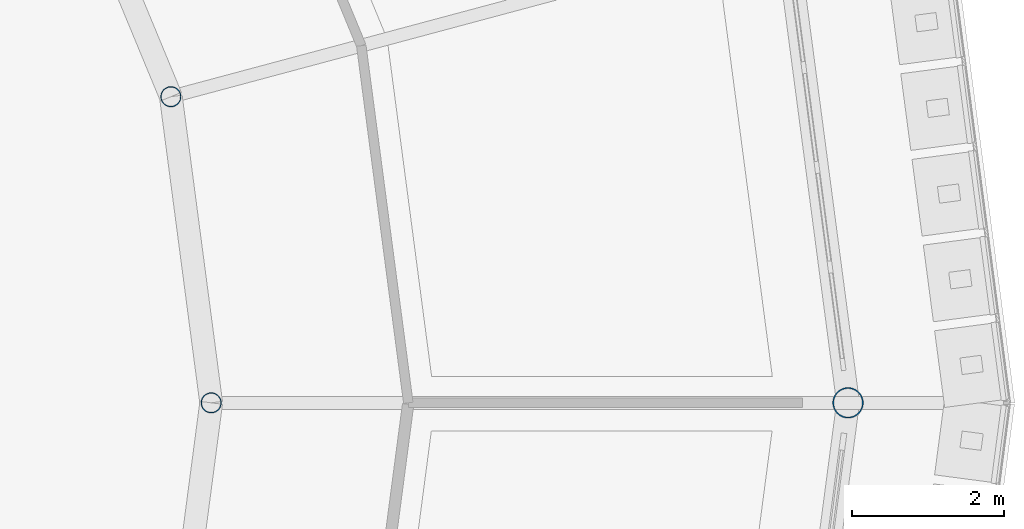
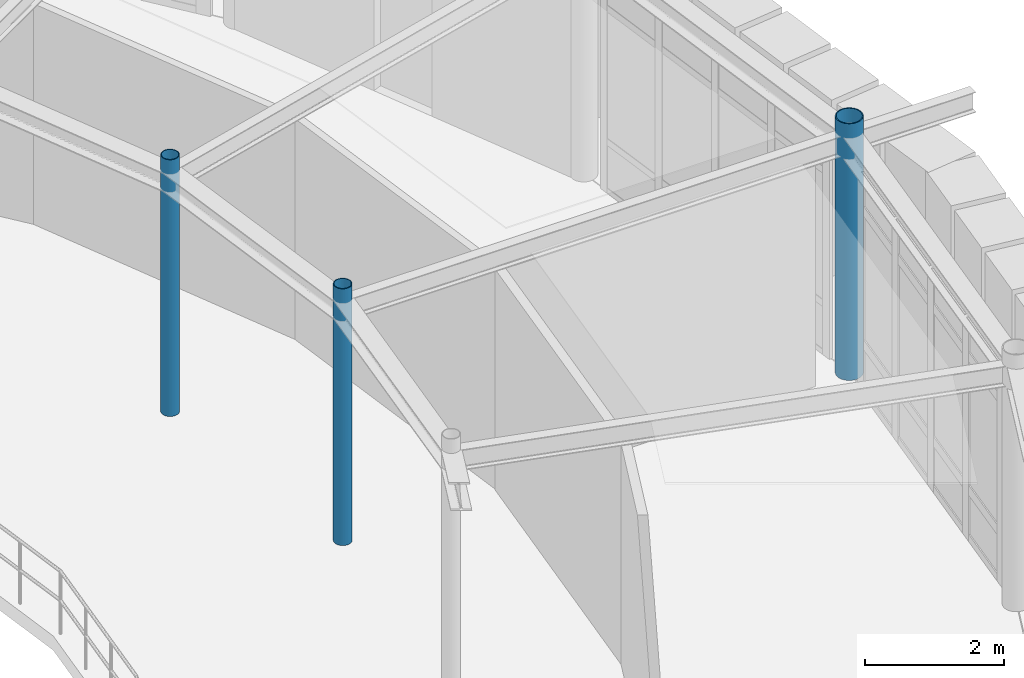
# One storey, part 13 of 106: 3 columns.
"""IFC4 building model written with IfcOpenShell, lengths in metres."""

from ifc_helpers import new_model, si_unit, derived_unit, direction, frame, origin, origin_2d, place, context, subcontext, project, spatial, hollow_circle, extrude, material, material_profile, profile_set, type_object, element, save


model = new_model("IFC4")

# Units and contexts
model_context = context("Model", 3, precision=1e-05, world=origin(), true_north=direction((0.0, 1.0)))
body_context = subcontext(model_context, "Body", "Model", "MODEL_VIEW")
ifc_project = project(units=[si_unit("LENGTHUNIT", "METRE"), si_unit("AREAUNIT", "SQUARE_METRE"), si_unit("VOLUMEUNIT", "CUBIC_METRE"), si_unit("PLANEANGLEUNIT", "RADIAN"), si_unit("MASSUNIT", "GRAM", prefix="KILO"), derived_unit("THERMALTRANSMITTANCEUNIT", [(si_unit("POWERUNIT", "WATT"), 1), (si_unit("AREAUNIT", "SQUARE_METRE"), -1), (si_unit("THERMODYNAMICTEMPERATUREUNIT", "KELVIN"), -1)])], contexts=[model_context])

# Site, building, storey
site_placement = place(None, origin())
site = spatial("IfcSite", under=ifc_project, at=site_placement, CompositionType="ELEMENT")
building_placement = place(site_placement, origin())
building = spatial("IfcBuilding", under=site, at=building_placement, Name="Yasenodar Specialist Clinic", CompositionType="ELEMENT")
storey_placement = place(building_placement, frame((0.0, 0.0, 4.5)))
storey = spatial("IfcBuildingStorey", under=building, at=storey_placement, Name="L01", CompositionType="ELEMENT", Elevation=4.5)

# Columns
ifc_material = material(Name="Steel S355", Category="steel")
ifc_material_profile_1 = material_profile(ifc_material, hollow_circle(Radius=0.136474609375, WallThickness=0.012451171875, at=origin_2d()), Name="CHS 273x12.5")
ifc_profile_set_1 = profile_set([ifc_material_profile_1], Name="Steel S355")
column_type_1 = type_object("IfcColumnType", Name="COL-ST-CHS273", PredefinedType="COLUMN", material=ifc_profile_set_1)
for number, where, z_axis, x_axis, name in (
    (1, (96.60009765625, 58.800048828125, 0.0), (0.0, 0.0, 1.0), (1.0, 0.0, 0.0), "L01 Drum V1 Inner Column 01"),
    (2, (96.068359375, 62.837646484375, 0.0), (0.0, 0.0, 1.0), (1.0, 0.0, 0.0), "L01 Drum V1 Inner Column 02"),
):
    element("IfcColumn", number, at=place(storey_placement, frame(where, z_axis=z_axis, x_axis=x_axis)), inside=storey, type_object=column_type_1, Name=name, PredefinedType="COLUMN", context=body_context, shape_type="SweptSolid", body=[
        extrude(hollow_circle(Radius=0.136474609375, WallThickness=0.012451171875, at=origin_2d()), origin(), (0.0, 0.0, 1.0), 4.5),
    ])
ifc_material_profile_2 = material_profile(ifc_material, hollow_circle(Radius=0.203125, WallThickness=0.01611328125, at=origin_2d()), Name="CHS 406.4x16")
ifc_profile_set_2 = profile_set([ifc_material_profile_2], Name="Steel S355")
column_type_2 = type_object("IfcColumnType", Name="COL-ST-CHS406", PredefinedType="COLUMN", material=ifc_profile_set_2)
column_placement = place(storey_placement, frame((105.0, 58.800048828125, 0.0), z_axis=(0.0, 0.0, 1.0), x_axis=(1.0, 0.0, 0.0)))
element("IfcColumn", 3, at=column_placement, inside=storey, type_object=column_type_2, Name="L01 Drum V1 Outer Column 01", PredefinedType="COLUMN", context=body_context, shape_type="SweptSolid", body=[
    extrude(hollow_circle(Radius=0.203125, WallThickness=0.01611328125, at=origin_2d()), origin(), (0.0, 0.0, 1.0), 4.5),
])

save(model, "model.ifc")
